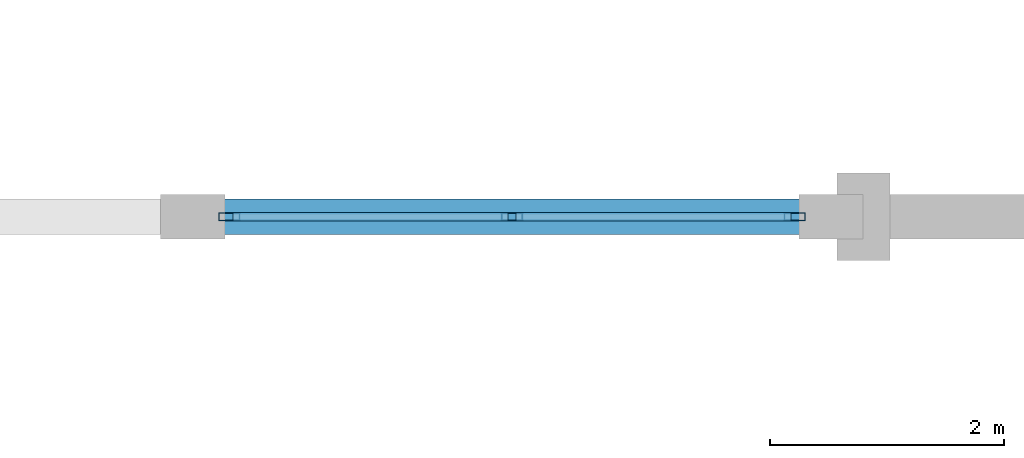
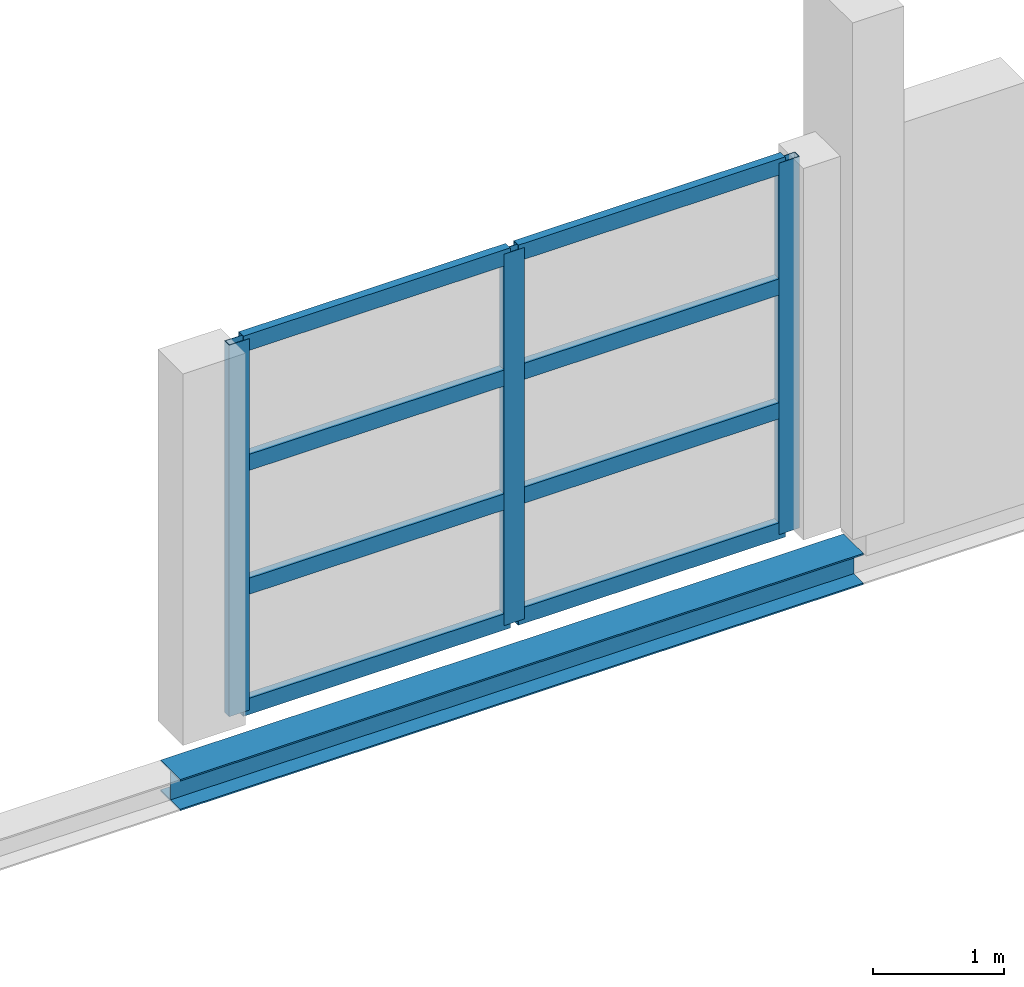
# One storey, part 21 of 86: 11 members, 1 beam, 1 element without a shape of its own.
"""IFC4 building model written with IfcOpenShell, lengths in metres."""

from ifc_helpers import new_model, si_unit, direction, frame, origin, origin_2d, place, context, subcontext, project, spatial, hollow_rectangle, i_section, extrude, material, layer, layer_set, material_profile, profile_set, type_object, element, aggregate, save


model = new_model("IFC4")

# Units and contexts
model_context = context("Model", 3, precision=1e-05, world=origin(), true_north=direction((0.0, 1.0)))
body_context = subcontext(model_context, "Body", "Model", "MODEL_VIEW")
ifc_project = project(units=[si_unit("LENGTHUNIT", "METRE"), si_unit("AREAUNIT", "SQUARE_METRE"), si_unit("VOLUMEUNIT", "CUBIC_METRE"), si_unit("PLANEANGLEUNIT", "RADIAN"), si_unit("MASSUNIT", "GRAM", prefix="KILO")], contexts=[model_context])

# Site, building, storey
site_placement = place(None, origin())
site = spatial("IfcSite", under=ifc_project, at=site_placement, CompositionType="ELEMENT")
building_placement = place(site_placement, origin())
building = spatial("IfcBuilding", under=site, at=building_placement, Name="Zilviju Railside Exhibition Hall", CompositionType="ELEMENT")
storey_placement = place(building_placement, frame((0.0, 0.0, 12.60009765625)))
storey = spatial("IfcBuildingStorey", under=building, at=storey_placement, Name="L04", CompositionType="ELEMENT", Elevation=12.60009765625)

# Beam
ifc_material_1 = material(Name="Steel S355J2", Category="steel")
ifc_material_profile_1 = material_profile(ifc_material_1, i_section(OverallWidth=0.300048828125, OverallDepth=0.2900390625, WebThickness=0.008544921875, FlangeThickness=0.013916015625, at=origin_2d()), Name="HEA 300")
ifc_profile_set_1 = profile_set([ifc_material_profile_1], Name="Steel S355J2")
beam_type = type_object("IfcBeamType", Name="BM-HEA300", PredefinedType="SPANDREL", material=ifc_profile_set_1)
beam_placement = place(storey_placement, frame((102.0, 84.0, -0.485107421875), z_axis=(1.0, 0.0, 0.0), x_axis=(0.0, 1.0, 0.0)))
element("IfcBeam", 1, at=beam_placement, inside=storey, type_object=beam_type, Name="Primary Girder L04 Y=84.0 (102.0..108.0)", PredefinedType="SPANDREL", context=body_context, shape_type="SweptSolid", body=[
    extrude(i_section(OverallWidth=0.300048828125, OverallDepth=0.2900390625, WebThickness=0.008544921875, FlangeThickness=0.013916015625, at=origin_2d()), origin(), (0.0, 0.0, 1.0), 6.0),
])

# Curtain wall, members
ifc_material_2 = material(Name="Thermally broken aluminium-steel triple-glazed curtain wall", Category="steel")
ifc_layer = layer(ifc_material_2, 0.179931640625)
ifc_layer_set = layer_set([ifc_layer], Name="Thermally broken aluminium-steel triple-glazed curtain wall")
curtain_wall_type = type_object("IfcCurtainWallType", Name="CW-BAY-11", PredefinedType="USERDEFINED", material=ifc_layer_set)
curtain_wall_placement = place(storey_placement, origin())
curtain_wall = element("IfcCurtainWall", 2, at=curtain_wall_placement, inside=storey, type_object=curtain_wall_type, Name="North Hall Garden Court Curtain Wall L04 (102..108)", ObjectType="GLAZED CURTAIN WALL", PredefinedType="USERDEFINED")
ifc_material_3 = material(Name="Thermally broken anodized aluminium mullion", Category="aluminium")
ifc_material_profile_2 = material_profile(ifc_material_3, hollow_rectangle(XDim=0.070068359375, YDim=0.179931640625, WallThickness=0.0048828125, at=origin_2d()), Name="MULLION 180x70x5")
ifc_profile_set_2 = profile_set([ifc_material_profile_2], Name="Thermally broken anodized aluminium mullion")
member_type_1 = type_object("IfcMemberType", Name="CWM-70x180", PredefinedType="MULLION", material=ifc_profile_set_2)
member_1_placement = place(storey_placement, frame((107.4150390625, 84.0, 0.0), z_axis=(0.0, 0.0, 1.0), x_axis=(0.0, -1.0, 0.0)))
member_1 = element("IfcMember", 3, at=member_1_placement, type_object=member_type_1, Name="CW-11 mullion 1", PredefinedType="MULLION", context=body_context, shape_type="SweptSolid", body=[
    extrude(hollow_rectangle(XDim=0.070068359375, YDim=0.179931640625, WallThickness=0.0048828125, at=origin_2d()), origin(), (0.0, 0.0, 1.0), 3.449951171875),
])
member_2_placement = place(storey_placement, frame((105.0, 84.0, 0.0), z_axis=(0.0, 0.0, 1.0), x_axis=(0.0, -1.0, 0.0)))
member_2 = element("IfcMember", 4, at=member_2_placement, type_object=member_type_1, Name="CW-11 mullion 2", PredefinedType="MULLION", context=body_context, shape_type="SweptSolid", body=[
    extrude(hollow_rectangle(XDim=0.070068359375, YDim=0.179931640625, WallThickness=0.0048828125, at=origin_2d()), origin(), (0.0, 0.0, 1.0), 3.449951171875),
])
member_3_placement = place(storey_placement, frame((102.5849609375, 84.0, 0.0), z_axis=(0.0, 0.0, 1.0), x_axis=(0.0, -1.0, 0.0)))
member_3 = element("IfcMember", 5, at=member_3_placement, type_object=member_type_1, Name="CW-11 mullion 3", PredefinedType="MULLION", context=body_context, shape_type="SweptSolid", body=[
    extrude(hollow_rectangle(XDim=0.070068359375, YDim=0.179931640625, WallThickness=0.0048828125, at=origin_2d()), origin(), (0.0, 0.0, 1.0), 3.449951171875),
])
ifc_material_4 = material(Name="Thermally broken anodized aluminium transom", Category="aluminium")
ifc_material_profile_3 = material_profile(ifc_material_4, hollow_rectangle(XDim=0.070068359375, YDim=0.14990234375, WallThickness=0.0048828125, at=origin_2d()), Name="TRANSOM 150x70x5")
ifc_profile_set_3 = profile_set([ifc_material_profile_3], Name="Thermally broken anodized aluminium transom")
member_type_2 = type_object("IfcMemberType", Name="CWT-70x150", PredefinedType="USERDEFINED", material=ifc_profile_set_3)
member_4_placement = place(storey_placement, frame((107.3798828125, 84.0, 0.034912109375), z_axis=(-1.0, 0.0, 0.0), x_axis=(0.0, -1.0, 0.0)))
member_4 = element("IfcMember", 6, at=member_4_placement, type_object=member_type_2, Name="CW-11 transom 1.1", ObjectType="TRANSOM", PredefinedType="USERDEFINED", context=body_context, shape_type="SweptSolid", body=[
    extrude(hollow_rectangle(XDim=0.070068359375, YDim=0.14990234375, WallThickness=0.0048828125, at=origin_2d()), origin(), (0.0, 0.0, 1.0), 2.344970703125),
])
member_5_placement = place(storey_placement, frame((107.3798828125, 84.0, 1.14990234375), z_axis=(-1.0, 0.0, 0.0), x_axis=(0.0, -1.0, 0.0)))
member_5 = element("IfcMember", 7, at=member_5_placement, type_object=member_type_2, Name="CW-11 transom 1.2", ObjectType="TRANSOM", PredefinedType="USERDEFINED", context=body_context, shape_type="SweptSolid", body=[
    extrude(hollow_rectangle(XDim=0.070068359375, YDim=0.14990234375, WallThickness=0.0048828125, at=origin_2d()), origin(), (0.0, 0.0, 1.0), 2.344970703125),
])
member_6_placement = place(storey_placement, frame((107.3798828125, 84.0, 2.2998046875), z_axis=(-1.0, 0.0, 0.0), x_axis=(0.0, -1.0, 0.0)))
member_6 = element("IfcMember", 8, at=member_6_placement, type_object=member_type_2, Name="CW-11 transom 1.3", ObjectType="TRANSOM", PredefinedType="USERDEFINED", context=body_context, shape_type="SweptSolid", body=[
    extrude(hollow_rectangle(XDim=0.070068359375, YDim=0.14990234375, WallThickness=0.0048828125, at=origin_2d()), origin(), (0.0, 0.0, 1.0), 2.344970703125),
])
member_7_placement = place(storey_placement, frame((107.3798828125, 84.0, 3.414794921875), z_axis=(-1.0, 0.0, 0.0), x_axis=(0.0, -1.0, 0.0)))
member_7 = element("IfcMember", 9, at=member_7_placement, type_object=member_type_2, Name="CW-11 transom 1.4", ObjectType="TRANSOM", PredefinedType="USERDEFINED", context=body_context, shape_type="SweptSolid", body=[
    extrude(hollow_rectangle(XDim=0.070068359375, YDim=0.14990234375, WallThickness=0.0048828125, at=origin_2d()), origin(), (0.0, 0.0, 1.0), 2.344970703125),
])
member_8_placement = place(storey_placement, frame((104.965087890625, 84.0, 0.034912109375), z_axis=(-1.0, 0.0, 0.0), x_axis=(0.0, -1.0, 0.0)))
member_8 = element("IfcMember", 10, at=member_8_placement, type_object=member_type_2, Name="CW-11 transom 2.1", ObjectType="TRANSOM", PredefinedType="USERDEFINED", context=body_context, shape_type="SweptSolid", body=[
    extrude(hollow_rectangle(XDim=0.070068359375, YDim=0.14990234375, WallThickness=0.0048828125, at=origin_2d()), origin(), (0.0, 0.0, 1.0), 2.344970703125),
])
member_9_placement = place(storey_placement, frame((104.965087890625, 84.0, 1.14990234375), z_axis=(-1.0, 0.0, 0.0), x_axis=(0.0, -1.0, 0.0)))
member_9 = element("IfcMember", 11, at=member_9_placement, type_object=member_type_2, Name="CW-11 transom 2.2", ObjectType="TRANSOM", PredefinedType="USERDEFINED", context=body_context, shape_type="SweptSolid", body=[
    extrude(hollow_rectangle(XDim=0.070068359375, YDim=0.14990234375, WallThickness=0.0048828125, at=origin_2d()), origin(), (0.0, 0.0, 1.0), 2.344970703125),
])
member_10_placement = place(storey_placement, frame((104.965087890625, 84.0, 2.2998046875), z_axis=(-1.0, 0.0, 0.0), x_axis=(0.0, -1.0, 0.0)))
member_10 = element("IfcMember", 12, at=member_10_placement, type_object=member_type_2, Name="CW-11 transom 2.3", ObjectType="TRANSOM", PredefinedType="USERDEFINED", context=body_context, shape_type="SweptSolid", body=[
    extrude(hollow_rectangle(XDim=0.070068359375, YDim=0.14990234375, WallThickness=0.0048828125, at=origin_2d()), origin(), (0.0, 0.0, 1.0), 2.344970703125),
])
member_11_placement = place(storey_placement, frame((104.965087890625, 84.0, 3.414794921875), z_axis=(-1.0, 0.0, 0.0), x_axis=(0.0, -1.0, 0.0)))
member_11 = element("IfcMember", 13, at=member_11_placement, type_object=member_type_2, Name="CW-11 transom 2.4", ObjectType="TRANSOM", PredefinedType="USERDEFINED", context=body_context, shape_type="SweptSolid", body=[
    extrude(hollow_rectangle(XDim=0.070068359375, YDim=0.14990234375, WallThickness=0.0048828125, at=origin_2d()), origin(), (0.0, 0.0, 1.0), 2.344970703125),
])
aggregate(curtain_wall, [member_1, member_2, member_3, member_4, member_5, member_6, member_7, member_8, member_9, member_10, member_11])

save(model, "model.ifc")
